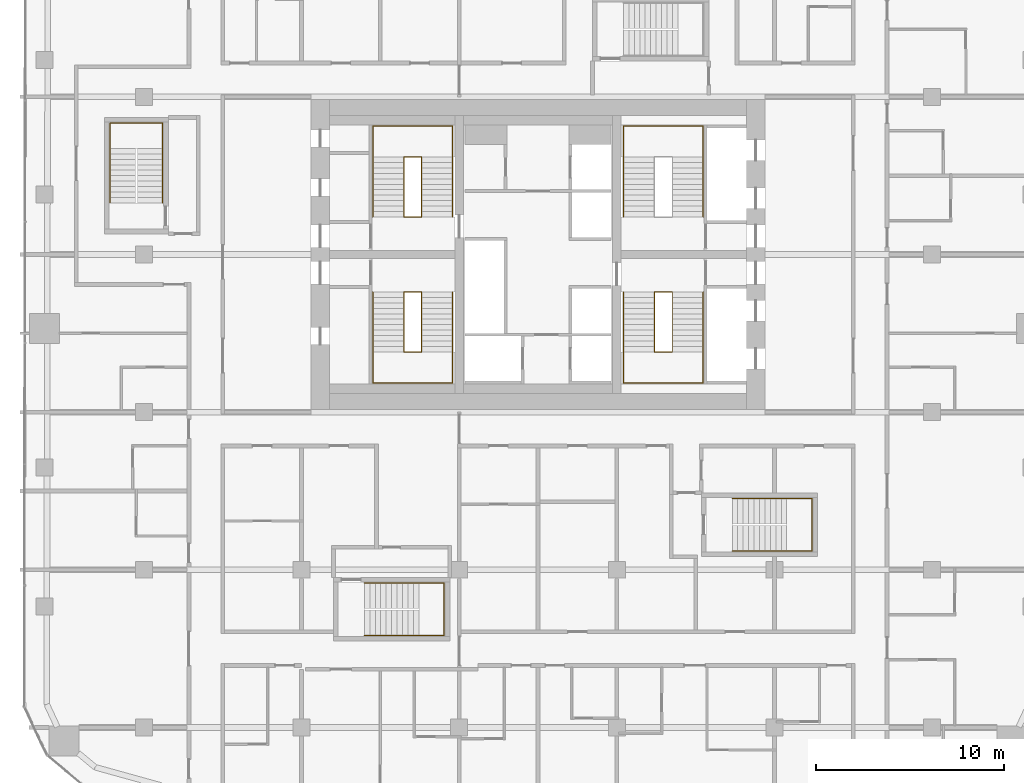
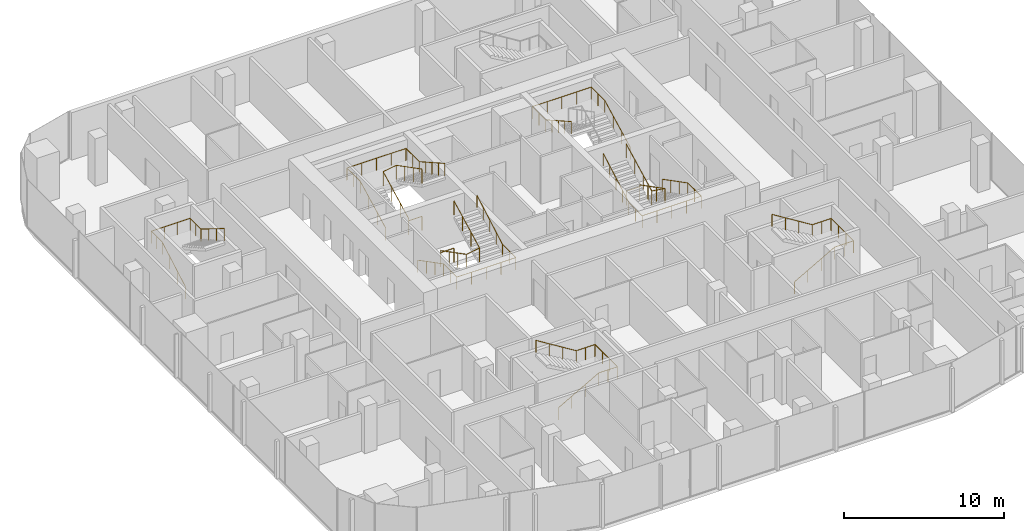
# One storey, part 22 of 23: 10 railings.
"""IFC4 building model written with IfcOpenShell, lengths in metres."""

from ifc_helpers import new_model, si_unit, direction, frame, origin, origin_2d, place, context, subcontext, project, spatial, circle, extrude, material, type_object, element, save


model = new_model("IFC4")

# Units and contexts
model_context = context("Model", 3, precision=1e-05, world=origin(), true_north=direction((0.0, 1.0)))
body_context = subcontext(model_context, "Body", "Model", "MODEL_VIEW")
ifc_project = project(units=[si_unit("LENGTHUNIT", "METRE"), si_unit("AREAUNIT", "SQUARE_METRE"), si_unit("VOLUMEUNIT", "CUBIC_METRE"), si_unit("PLANEANGLEUNIT", "RADIAN"), si_unit("MASSUNIT", "GRAM", prefix="KILO")], contexts=[model_context])

# Site, building, storey
site_placement = place(None, origin())
site = spatial("IfcSite", under=ifc_project, at=site_placement, CompositionType="ELEMENT")
building_placement = place(site_placement, origin())
building = spatial("IfcBuilding", under=site, at=building_placement, Name="Marenta Gate Hotel Tower", CompositionType="ELEMENT")
storey_placement = place(building_placement, frame((0.0, 0.0, 162.5)))
storey = spatial("IfcBuildingStorey", under=building, at=storey_placement, Name="L38", CompositionType="ELEMENT", Elevation=162.5)

# Railings
ifc_material_1 = material(Name="Stainless steel", Category="steel")
railing_type_1 = type_object("IfcRailingType", Name="Core stair handrail 950", PredefinedType="HANDRAIL", material=ifc_material_1)
railing_1_placement = place(storey_placement, frame((-8.800048828125, 6.39990234375, 0.14990234375)))
element("IfcRailing", 1, at=railing_1_placement, inside=storey, type_object=railing_type_1, Name="HR-950 L38-KR-ST1-1", PredefinedType="HANDRAIL", context=body_context, shape_type="SweptSolid", body=[
    extrude(circle(Radius=0.02392578125, at=origin_2d()), frame((0.0, 0.0, 0.92578125), z_axis=(0.0, -0.888197555067, 0.459461753765), x_axis=(1.0, 0.0, 0.0)), (0.0, 0.0, 1.0), 3.591552734375),
    extrude(circle(Radius=0.02392578125, at=origin_2d()), frame((0.0, -3.18994140625, 2.576171875), z_axis=(0.0, -1.0, 0.0), x_axis=(1.0, 0.0, 0.0)), (0.0, 0.0, 1.0), 1.659912109375),
    extrude(circle(Radius=0.02392578125, at=origin_2d()), frame((0.0, -4.849853515625, 2.576171875), z_axis=(1.0, 0.0, 0.0), x_axis=(0.0, 1.0, 0.0)), (0.0, 0.0, 1.0), 4.25),
    extrude(circle(Radius=0.02392578125, at=origin_2d()), frame((4.25, -4.849853515625, 2.576171875), z_axis=(0.0, 1.0, 0.0), x_axis=(-1.0, 0.0, 0.0)), (0.0, 0.0, 1.0), 1.659912109375),
    extrude(circle(Radius=0.02392578125, at=origin_2d()), frame((4.25, -3.18994140625, 2.576171875), z_axis=(0.0, 0.87090897868, 0.491444351738), x_axis=(-1.0, 0.0, 0.0)), (0.0, 0.0, 1.0), 3.662841796875),
    extrude(circle(Radius=0.02099609375, at=origin_2d()), origin(), (0.0, 0.0, 1.0), 0.90185546875),
    extrude(circle(Radius=0.02099609375, at=origin_2d()), frame((0.0, -1.063232421875, 0.550048828125)), (0.0, 0.0, 1.0), 0.90185546875),
    extrude(circle(Radius=0.02099609375, at=origin_2d()), frame((0.0, -2.126708984375, 1.10009765625)), (0.0, 0.0, 1.0), 0.90185546875),
    extrude(circle(Radius=0.02099609375, at=origin_2d()), frame((0.0, -3.18994140625, 1.650146484375)), (0.0, 0.0, 1.0), 0.90185546875),
    extrude(circle(Radius=0.02099609375, at=origin_2d()), frame((0.0, -4.02001953125, 1.650146484375)), (0.0, 0.0, 1.0), 0.90185546875),
    extrude(circle(Radius=0.02099609375, at=origin_2d()), frame((0.0, -4.849853515625, 1.650146484375)), (0.0, 0.0, 1.0), 0.90185546875),
    extrude(circle(Radius=0.02099609375, at=origin_2d()), frame((1.0625, -4.849853515625, 1.650146484375)), (0.0, 0.0, 1.0), 0.90185546875),
    extrude(circle(Radius=0.02099609375, at=origin_2d()), frame((2.125, -4.849853515625, 1.650146484375)), (0.0, 0.0, 1.0), 0.90185546875),
    extrude(circle(Radius=0.02099609375, at=origin_2d()), frame((3.1875, -4.849853515625, 1.650146484375)), (0.0, 0.0, 1.0), 0.90185546875),
    extrude(circle(Radius=0.02099609375, at=origin_2d()), frame((4.25, -4.849853515625, 1.650146484375)), (0.0, 0.0, 1.0), 0.90185546875),
    extrude(circle(Radius=0.02099609375, at=origin_2d()), frame((4.25, -4.02001953125, 1.650146484375)), (0.0, 0.0, 1.0), 0.90185546875),
    extrude(circle(Radius=0.02099609375, at=origin_2d()), frame((4.25, -3.18994140625, 1.650146484375)), (0.0, 0.0, 1.0), 0.90185546875),
    extrude(circle(Radius=0.02099609375, at=origin_2d()), frame((4.25, -2.392578125, 2.10009765625)), (0.0, 0.0, 1.0), 0.90185546875),
    extrude(circle(Radius=0.02099609375, at=origin_2d()), frame((4.25, -1.594970703125, 2.55029296875)), (0.0, 0.0, 1.0), 0.90185546875),
    extrude(circle(Radius=0.02099609375, at=origin_2d()), frame((4.25, -0.79736328125, 3.000244140625)), (0.0, 0.0, 1.0), 0.90185546875),
    extrude(circle(Radius=0.02099609375, at=origin_2d()), frame((4.25, 0.0, 3.4501953125)), (0.0, 0.0, 1.0), 0.90185546875),
])
railing_2_placement = place(storey_placement, frame((-8.800048828125, 10.39990234375, 0.14990234375)))
element("IfcRailing", 2, at=railing_2_placement, inside=storey, type_object=railing_type_1, Name="HR-950 L38-KR-ST2-1", PredefinedType="HANDRAIL", context=body_context, shape_type="SweptSolid", body=[
    extrude(circle(Radius=0.02392578125, at=origin_2d()), frame((0.0, 0.0, 0.92578125), z_axis=(0.0, 0.888211904222, 0.459434013977), x_axis=(-1.0, 0.0, 0.0)), (0.0, 0.0, 1.0), 3.591796875),
    extrude(circle(Radius=0.02392578125, at=origin_2d()), frame((0.0, 3.190185546875, 2.576171875), z_axis=(0.0, 1.0, 0.0), x_axis=(-1.0, 0.0, 0.0)), (0.0, 0.0, 1.0), 1.659912109375),
    extrude(circle(Radius=0.02392578125, at=origin_2d()), frame((0.0, 4.85009765625, 2.576171875), z_axis=(1.0, 0.0, 0.0), x_axis=(0.0, 1.0, 0.0)), (0.0, 0.0, 1.0), 4.25),
    extrude(circle(Radius=0.02392578125, at=origin_2d()), frame((4.25, 4.85009765625, 2.576171875), z_axis=(0.0, -1.0, 0.0), x_axis=(1.0, 0.0, 0.0)), (0.0, 0.0, 1.0), 1.659912109375),
    extrude(circle(Radius=0.02392578125, at=origin_2d()), frame((4.25, 3.190185546875, 2.576171875), z_axis=(0.0, -0.870925075533, 0.491415824742), x_axis=(1.0, 0.0, 0.0)), (0.0, 0.0, 1.0), 3.6630859375),
    extrude(circle(Radius=0.02099609375, at=origin_2d()), origin(), (0.0, 0.0, 1.0), 0.90185546875),
    extrude(circle(Radius=0.02099609375, at=origin_2d()), frame((0.0, 1.0634765625, 0.550048828125)), (0.0, 0.0, 1.0), 0.90185546875),
    extrude(circle(Radius=0.02099609375, at=origin_2d()), frame((0.0, 2.126708984375, 1.10009765625)), (0.0, 0.0, 1.0), 0.90185546875),
    extrude(circle(Radius=0.02099609375, at=origin_2d()), frame((0.0, 3.190185546875, 1.650146484375)), (0.0, 0.0, 1.0), 0.90185546875),
    extrude(circle(Radius=0.02099609375, at=origin_2d()), frame((0.0, 4.02001953125, 1.650146484375)), (0.0, 0.0, 1.0), 0.90185546875),
    extrude(circle(Radius=0.02099609375, at=origin_2d()), frame((0.0, 4.85009765625, 1.650146484375)), (0.0, 0.0, 1.0), 0.90185546875),
    extrude(circle(Radius=0.02099609375, at=origin_2d()), frame((1.0625, 4.85009765625, 1.650146484375)), (0.0, 0.0, 1.0), 0.90185546875),
    extrude(circle(Radius=0.02099609375, at=origin_2d()), frame((2.125, 4.85009765625, 1.650146484375)), (0.0, 0.0, 1.0), 0.90185546875),
    extrude(circle(Radius=0.02099609375, at=origin_2d()), frame((3.1875, 4.85009765625, 1.650146484375)), (0.0, 0.0, 1.0), 0.90185546875),
    extrude(circle(Radius=0.02099609375, at=origin_2d()), frame((4.25, 4.85009765625, 1.650146484375)), (0.0, 0.0, 1.0), 0.90185546875),
    extrude(circle(Radius=0.02099609375, at=origin_2d()), frame((4.25, 4.02001953125, 1.650146484375)), (0.0, 0.0, 1.0), 0.90185546875),
    extrude(circle(Radius=0.02099609375, at=origin_2d()), frame((4.25, 3.190185546875, 1.650146484375)), (0.0, 0.0, 1.0), 0.90185546875),
    extrude(circle(Radius=0.02099609375, at=origin_2d()), frame((4.25, 2.392578125, 2.10009765625)), (0.0, 0.0, 1.0), 0.90185546875),
    extrude(circle(Radius=0.02099609375, at=origin_2d()), frame((4.25, 1.59521484375, 2.55029296875)), (0.0, 0.0, 1.0), 0.90185546875),
    extrude(circle(Radius=0.02099609375, at=origin_2d()), frame((4.25, 0.797607421875, 3.000244140625)), (0.0, 0.0, 1.0), 0.90185546875),
    extrude(circle(Radius=0.02099609375, at=origin_2d()), frame((4.25, 0.0, 3.4501953125)), (0.0, 0.0, 1.0), 0.90185546875),
])
railing_3_placement = place(storey_placement, frame((8.800048828125, 6.39990234375, 0.14990234375)))
element("IfcRailing", 3, at=railing_3_placement, inside=storey, type_object=railing_type_1, Name="HR-950 L38-KR-ST3-1", PredefinedType="HANDRAIL", context=body_context, shape_type="SweptSolid", body=[
    extrude(circle(Radius=0.02392578125, at=origin_2d()), frame((0.0, 0.0, 0.92578125), z_axis=(0.0, -0.888197555067, 0.459461753765), x_axis=(1.0, 0.0, 0.0)), (0.0, 0.0, 1.0), 3.591552734375),
    extrude(circle(Radius=0.02392578125, at=origin_2d()), frame((0.0, -3.18994140625, 2.576171875), z_axis=(0.0, -1.0, 0.0), x_axis=(1.0, 0.0, 0.0)), (0.0, 0.0, 1.0), 1.659912109375),
    extrude(circle(Radius=0.02392578125, at=origin_2d()), frame((0.0, -4.849853515625, 2.576171875), z_axis=(-1.0, 0.0, 0.0), x_axis=(0.0, -1.0, 0.0)), (0.0, 0.0, 1.0), 4.25),
    extrude(circle(Radius=0.02392578125, at=origin_2d()), frame((-4.25, -4.849853515625, 2.576171875), z_axis=(0.0, 1.0, 0.0), x_axis=(-1.0, 0.0, 0.0)), (0.0, 0.0, 1.0), 1.659912109375),
    extrude(circle(Radius=0.02392578125, at=origin_2d()), frame((-4.25, -3.18994140625, 2.576171875), z_axis=(0.0, 0.87090897868, 0.491444351738), x_axis=(-1.0, 0.0, 0.0)), (0.0, 0.0, 1.0), 3.662841796875),
    extrude(circle(Radius=0.02099609375, at=origin_2d()), origin(), (0.0, 0.0, 1.0), 0.90185546875),
    extrude(circle(Radius=0.02099609375, at=origin_2d()), frame((0.0, -1.063232421875, 0.550048828125)), (0.0, 0.0, 1.0), 0.90185546875),
    extrude(circle(Radius=0.02099609375, at=origin_2d()), frame((0.0, -2.126708984375, 1.10009765625)), (0.0, 0.0, 1.0), 0.90185546875),
    extrude(circle(Radius=0.02099609375, at=origin_2d()), frame((0.0, -3.18994140625, 1.650146484375)), (0.0, 0.0, 1.0), 0.90185546875),
    extrude(circle(Radius=0.02099609375, at=origin_2d()), frame((0.0, -4.02001953125, 1.650146484375)), (0.0, 0.0, 1.0), 0.90185546875),
    extrude(circle(Radius=0.02099609375, at=origin_2d()), frame((0.0, -4.849853515625, 1.650146484375)), (0.0, 0.0, 1.0), 0.90185546875),
    extrude(circle(Radius=0.02099609375, at=origin_2d()), frame((-1.0625, -4.849853515625, 1.650146484375)), (0.0, 0.0, 1.0), 0.90185546875),
    extrude(circle(Radius=0.02099609375, at=origin_2d()), frame((-2.125, -4.849853515625, 1.650146484375)), (0.0, 0.0, 1.0), 0.90185546875),
    extrude(circle(Radius=0.02099609375, at=origin_2d()), frame((-3.1875, -4.849853515625, 1.650146484375)), (0.0, 0.0, 1.0), 0.90185546875),
    extrude(circle(Radius=0.02099609375, at=origin_2d()), frame((-4.25, -4.849853515625, 1.650146484375)), (0.0, 0.0, 1.0), 0.90185546875),
    extrude(circle(Radius=0.02099609375, at=origin_2d()), frame((-4.25, -4.02001953125, 1.650146484375)), (0.0, 0.0, 1.0), 0.90185546875),
    extrude(circle(Radius=0.02099609375, at=origin_2d()), frame((-4.25, -3.18994140625, 1.650146484375)), (0.0, 0.0, 1.0), 0.90185546875),
    extrude(circle(Radius=0.02099609375, at=origin_2d()), frame((-4.25, -2.392578125, 2.10009765625)), (0.0, 0.0, 1.0), 0.90185546875),
    extrude(circle(Radius=0.02099609375, at=origin_2d()), frame((-4.25, -1.594970703125, 2.55029296875)), (0.0, 0.0, 1.0), 0.90185546875),
    extrude(circle(Radius=0.02099609375, at=origin_2d()), frame((-4.25, -0.79736328125, 3.000244140625)), (0.0, 0.0, 1.0), 0.90185546875),
    extrude(circle(Radius=0.02099609375, at=origin_2d()), frame((-4.25, 0.0, 3.4501953125)), (0.0, 0.0, 1.0), 0.90185546875),
])
railing_4_placement = place(storey_placement, frame((8.800048828125, 10.39990234375, 0.14990234375)))
element("IfcRailing", 4, at=railing_4_placement, inside=storey, type_object=railing_type_1, Name="HR-950 L38-KR-ST4-1", PredefinedType="HANDRAIL", context=body_context, shape_type="SweptSolid", body=[
    extrude(circle(Radius=0.02392578125, at=origin_2d()), frame((0.0, 0.0, 0.92578125), z_axis=(0.0, 0.888211904222, 0.459434013977), x_axis=(-1.0, 0.0, 0.0)), (0.0, 0.0, 1.0), 3.591796875),
    extrude(circle(Radius=0.02392578125, at=origin_2d()), frame((0.0, 3.190185546875, 2.576171875), z_axis=(0.0, 1.0, 0.0), x_axis=(-1.0, 0.0, 0.0)), (0.0, 0.0, 1.0), 1.659912109375),
    extrude(circle(Radius=0.02392578125, at=origin_2d()), frame((0.0, 4.85009765625, 2.576171875), z_axis=(-1.0, 0.0, 0.0), x_axis=(0.0, -1.0, 0.0)), (0.0, 0.0, 1.0), 4.25),
    extrude(circle(Radius=0.02392578125, at=origin_2d()), frame((-4.25, 4.85009765625, 2.576171875), z_axis=(0.0, -1.0, 0.0), x_axis=(1.0, 0.0, 0.0)), (0.0, 0.0, 1.0), 1.659912109375),
    extrude(circle(Radius=0.02392578125, at=origin_2d()), frame((-4.25, 3.190185546875, 2.576171875), z_axis=(0.0, -0.870925075533, 0.491415824742), x_axis=(1.0, 0.0, 0.0)), (0.0, 0.0, 1.0), 3.6630859375),
    extrude(circle(Radius=0.02099609375, at=origin_2d()), origin(), (0.0, 0.0, 1.0), 0.90185546875),
    extrude(circle(Radius=0.02099609375, at=origin_2d()), frame((0.0, 1.0634765625, 0.550048828125)), (0.0, 0.0, 1.0), 0.90185546875),
    extrude(circle(Radius=0.02099609375, at=origin_2d()), frame((0.0, 2.126708984375, 1.10009765625)), (0.0, 0.0, 1.0), 0.90185546875),
    extrude(circle(Radius=0.02099609375, at=origin_2d()), frame((0.0, 3.190185546875, 1.650146484375)), (0.0, 0.0, 1.0), 0.90185546875),
    extrude(circle(Radius=0.02099609375, at=origin_2d()), frame((0.0, 4.02001953125, 1.650146484375)), (0.0, 0.0, 1.0), 0.90185546875),
    extrude(circle(Radius=0.02099609375, at=origin_2d()), frame((0.0, 4.85009765625, 1.650146484375)), (0.0, 0.0, 1.0), 0.90185546875),
    extrude(circle(Radius=0.02099609375, at=origin_2d()), frame((-1.0625, 4.85009765625, 1.650146484375)), (0.0, 0.0, 1.0), 0.90185546875),
    extrude(circle(Radius=0.02099609375, at=origin_2d()), frame((-2.125, 4.85009765625, 1.650146484375)), (0.0, 0.0, 1.0), 0.90185546875),
    extrude(circle(Radius=0.02099609375, at=origin_2d()), frame((-3.1875, 4.85009765625, 1.650146484375)), (0.0, 0.0, 1.0), 0.90185546875),
    extrude(circle(Radius=0.02099609375, at=origin_2d()), frame((-4.25, 4.85009765625, 1.650146484375)), (0.0, 0.0, 1.0), 0.90185546875),
    extrude(circle(Radius=0.02099609375, at=origin_2d()), frame((-4.25, 4.02001953125, 1.650146484375)), (0.0, 0.0, 1.0), 0.90185546875),
    extrude(circle(Radius=0.02099609375, at=origin_2d()), frame((-4.25, 3.190185546875, 1.650146484375)), (0.0, 0.0, 1.0), 0.90185546875),
    extrude(circle(Radius=0.02099609375, at=origin_2d()), frame((-4.25, 2.392578125, 2.10009765625)), (0.0, 0.0, 1.0), 0.90185546875),
    extrude(circle(Radius=0.02099609375, at=origin_2d()), frame((-4.25, 1.59521484375, 2.55029296875)), (0.0, 0.0, 1.0), 0.90185546875),
    extrude(circle(Radius=0.02099609375, at=origin_2d()), frame((-4.25, 0.797607421875, 3.000244140625)), (0.0, 0.0, 1.0), 0.90185546875),
    extrude(circle(Radius=0.02099609375, at=origin_2d()), frame((-4.25, 0.0, 3.4501953125)), (0.0, 0.0, 1.0), 0.90185546875),
])
railing_5_placement = place(storey_placement, frame((-22.800048828125, 11.14990234375, 0.16357421875)))
element("IfcRailing", 5, at=railing_5_placement, inside=storey, type_object=railing_type_1, Name="HR-950 L38-RS-Z1-3-KR-1", PredefinedType="HANDRAIL", context=body_context, shape_type="SweptSolid", body=[
    extrude(circle(Radius=0.02392578125, at=origin_2d()), frame((0.0, 0.0, 0.92578125), z_axis=(0.0, 0.870914908162, 0.491433843708), x_axis=(-1.0, 0.0, 0.0)), (0.0, 0.0, 1.0), 3.330078125),
    extrude(circle(Radius=0.02392578125, at=origin_2d()), frame((0.0, 2.900146484375, 2.5625), z_axis=(0.0, 1.0, 0.0), x_axis=(-1.0, 0.0, 0.0)), (0.0, 0.0, 1.0), 1.349853515625),
    extrude(circle(Radius=0.02392578125, at=origin_2d()), frame((0.0, 4.25, 2.5625), z_axis=(1.0, 0.0, 0.0), x_axis=(0.0, 1.0, 0.0)), (0.0, 0.0, 1.0), 2.800048828125),
    extrude(circle(Radius=0.02392578125, at=origin_2d()), frame((2.800048828125, 4.25, 2.5625), z_axis=(0.0, -1.0, 0.0), x_axis=(1.0, 0.0, 0.0)), (0.0, 0.0, 1.0), 1.349853515625),
    extrude(circle(Radius=0.02392578125, at=origin_2d()), frame((2.800048828125, 2.900146484375, 2.5625), z_axis=(0.0, -0.849645691689, 0.527353959494), x_axis=(1.0, 0.0, 0.0)), (0.0, 0.0, 1.0), 3.413330078125),
    extrude(circle(Radius=0.02099609375, at=origin_2d()), origin(), (0.0, 0.0, 1.0), 0.90185546875),
    extrude(circle(Radius=0.02099609375, at=origin_2d()), frame((0.0, 0.966796875, 0.54541015625)), (0.0, 0.0, 1.0), 0.90185546875),
    extrude(circle(Radius=0.02099609375, at=origin_2d()), frame((0.0, 1.933349609375, 1.091064453125)), (0.0, 0.0, 1.0), 0.90185546875),
    extrude(circle(Radius=0.02099609375, at=origin_2d()), frame((0.0, 2.900146484375, 1.636474609375)), (0.0, 0.0, 1.0), 0.90185546875),
    extrude(circle(Radius=0.02099609375, at=origin_2d()), frame((0.0, 3.5751953125, 1.636474609375)), (0.0, 0.0, 1.0), 0.90185546875),
    extrude(circle(Radius=0.02099609375, at=origin_2d()), frame((0.0, 4.25, 1.636474609375)), (0.0, 0.0, 1.0), 0.90185546875),
    extrude(circle(Radius=0.02099609375, at=origin_2d()), frame((0.933349609375, 4.25, 1.636474609375)), (0.0, 0.0, 1.0), 0.90185546875),
    extrude(circle(Radius=0.02099609375, at=origin_2d()), frame((1.86669921875, 4.25, 1.636474609375)), (0.0, 0.0, 1.0), 0.90185546875),
    extrude(circle(Radius=0.02099609375, at=origin_2d()), frame((2.800048828125, 4.25, 1.636474609375)), (0.0, 0.0, 1.0), 0.90185546875),
    extrude(circle(Radius=0.02099609375, at=origin_2d()), frame((2.800048828125, 3.5751953125, 1.636474609375)), (0.0, 0.0, 1.0), 0.90185546875),
    extrude(circle(Radius=0.02099609375, at=origin_2d()), frame((2.800048828125, 2.900146484375, 1.636474609375)), (0.0, 0.0, 1.0), 0.90185546875),
    extrude(circle(Radius=0.02099609375, at=origin_2d()), frame((2.800048828125, 1.933349609375, 2.236572265625)), (0.0, 0.0, 1.0), 0.90185546875),
    extrude(circle(Radius=0.02099609375, at=origin_2d()), frame((2.800048828125, 0.966796875, 2.83642578125)), (0.0, 0.0, 1.0), 0.90185546875),
    extrude(circle(Radius=0.02099609375, at=origin_2d()), frame((2.800048828125, 0.0, 3.4365234375)), (0.0, 0.0, 1.0), 0.90185546875),
])
railing_6_placement = place(storey_placement, frame((-9.25, -11.89990234375, 0.16357421875)))
element("IfcRailing", 6, at=railing_6_placement, inside=storey, type_object=railing_type_1, Name="HR-950 L38-RS-Z2-1-KR-1", PredefinedType="HANDRAIL", context=body_context, shape_type="SweptSolid", body=[
    extrude(circle(Radius=0.02392578125, at=origin_2d()), frame((0.0, 0.0, 0.92578125), z_axis=(0.870897200241, 0.0, 0.491465224214), x_axis=(0.0, 1.0, 0.0)), (0.0, 0.0, 1.0), 3.329833984375),
    extrude(circle(Radius=0.02392578125, at=origin_2d()), frame((2.89990234375, 0.0, 2.5625), z_axis=(1.0, 0.0, 0.0), x_axis=(0.0, 1.0, 0.0)), (0.0, 0.0, 1.0), 1.35009765625),
    extrude(circle(Radius=0.02392578125, at=origin_2d()), frame((4.25, 0.0, 2.5625), z_axis=(0.0, 1.0, 0.0), x_axis=(-1.0, 0.0, 0.0)), (0.0, 0.0, 1.0), 2.7998046875),
    extrude(circle(Radius=0.02392578125, at=origin_2d()), frame((4.25, 2.7998046875, 2.5625), z_axis=(-1.0, 0.0, 0.0), x_axis=(0.0, -1.0, 0.0)), (0.0, 0.0, 1.0), 1.35009765625),
    extrude(circle(Radius=0.02392578125, at=origin_2d()), frame((2.89990234375, 2.7998046875, 2.5625), z_axis=(-0.849625798611, 0.0, 0.527386008853), x_axis=(0.0, -1.0, 0.0)), (0.0, 0.0, 1.0), 3.4130859375),
    extrude(circle(Radius=0.02099609375, at=origin_2d()), origin(), (0.0, 0.0, 1.0), 0.90185546875),
    extrude(circle(Radius=0.02099609375, at=origin_2d()), frame((0.966552734375, 0.0, 0.54541015625)), (0.0, 0.0, 1.0), 0.90185546875),
    extrude(circle(Radius=0.02099609375, at=origin_2d()), frame((1.933349609375, 0.0, 1.091064453125)), (0.0, 0.0, 1.0), 0.90185546875),
    extrude(circle(Radius=0.02099609375, at=origin_2d()), frame((2.89990234375, 0.0, 1.636474609375)), (0.0, 0.0, 1.0), 0.90185546875),
    extrude(circle(Radius=0.02099609375, at=origin_2d()), frame((3.574951171875, 0.0, 1.636474609375)), (0.0, 0.0, 1.0), 0.90185546875),
    extrude(circle(Radius=0.02099609375, at=origin_2d()), frame((4.25, 0.0, 1.636474609375)), (0.0, 0.0, 1.0), 0.90185546875),
    extrude(circle(Radius=0.02099609375, at=origin_2d()), frame((4.25, 0.933349609375, 1.636474609375)), (0.0, 0.0, 1.0), 0.90185546875),
    extrude(circle(Radius=0.02099609375, at=origin_2d()), frame((4.25, 1.866455078125, 1.636474609375)), (0.0, 0.0, 1.0), 0.90185546875),
    extrude(circle(Radius=0.02099609375, at=origin_2d()), frame((4.25, 2.7998046875, 1.636474609375)), (0.0, 0.0, 1.0), 0.90185546875),
    extrude(circle(Radius=0.02099609375, at=origin_2d()), frame((3.574951171875, 2.7998046875, 1.636474609375)), (0.0, 0.0, 1.0), 0.90185546875),
    extrude(circle(Radius=0.02099609375, at=origin_2d()), frame((2.89990234375, 2.7998046875, 1.636474609375)), (0.0, 0.0, 1.0), 0.90185546875),
    extrude(circle(Radius=0.02099609375, at=origin_2d()), frame((1.933349609375, 2.7998046875, 2.236572265625)), (0.0, 0.0, 1.0), 0.90185546875),
    extrude(circle(Radius=0.02099609375, at=origin_2d()), frame((0.966552734375, 2.7998046875, 2.83642578125)), (0.0, 0.0, 1.0), 0.90185546875),
    extrude(circle(Radius=0.02099609375, at=origin_2d()), frame((0.0, 2.7998046875, 3.4365234375)), (0.0, 0.0, 1.0), 0.90185546875),
])
railing_7_placement = place(storey_placement, frame((10.35009765625, -7.39990234375, 0.16357421875)))
element("IfcRailing", 7, at=railing_7_placement, inside=storey, type_object=railing_type_1, Name="HR-950 L38-RS-Z2-2-KR-1", PredefinedType="HANDRAIL", context=body_context, shape_type="SweptSolid", body=[
    extrude(circle(Radius=0.02392578125, at=origin_2d()), frame((0.0, 0.0, 0.92578125), z_axis=(0.870897200241, 0.0, 0.491465224214), x_axis=(0.0, 1.0, 0.0)), (0.0, 0.0, 1.0), 3.329833984375),
    extrude(circle(Radius=0.02392578125, at=origin_2d()), frame((2.89990234375, 0.0, 2.5625), z_axis=(1.0, 0.0, 0.0), x_axis=(0.0, 1.0, 0.0)), (0.0, 0.0, 1.0), 1.35009765625),
    extrude(circle(Radius=0.02392578125, at=origin_2d()), frame((4.25, 0.0, 2.5625), z_axis=(0.0, 1.0, 0.0), x_axis=(-1.0, 0.0, 0.0)), (0.0, 0.0, 1.0), 2.7998046875),
    extrude(circle(Radius=0.02392578125, at=origin_2d()), frame((4.25, 2.7998046875, 2.5625), z_axis=(-1.0, 0.0, 0.0), x_axis=(0.0, -1.0, 0.0)), (0.0, 0.0, 1.0), 1.35009765625),
    extrude(circle(Radius=0.02392578125, at=origin_2d()), frame((2.89990234375, 2.7998046875, 2.5625), z_axis=(-0.849625798611, 0.0, 0.527386008853), x_axis=(0.0, -1.0, 0.0)), (0.0, 0.0, 1.0), 3.4130859375),
    extrude(circle(Radius=0.02099609375, at=origin_2d()), origin(), (0.0, 0.0, 1.0), 0.90185546875),
    extrude(circle(Radius=0.02099609375, at=origin_2d()), frame((0.966552734375, 0.0, 0.54541015625)), (0.0, 0.0, 1.0), 0.90185546875),
    extrude(circle(Radius=0.02099609375, at=origin_2d()), frame((1.933349609375, 0.0, 1.091064453125)), (0.0, 0.0, 1.0), 0.90185546875),
    extrude(circle(Radius=0.02099609375, at=origin_2d()), frame((2.89990234375, 0.0, 1.636474609375)), (0.0, 0.0, 1.0), 0.90185546875),
    extrude(circle(Radius=0.02099609375, at=origin_2d()), frame((3.574951171875, 0.0, 1.636474609375)), (0.0, 0.0, 1.0), 0.90185546875),
    extrude(circle(Radius=0.02099609375, at=origin_2d()), frame((4.25, 0.0, 1.636474609375)), (0.0, 0.0, 1.0), 0.90185546875),
    extrude(circle(Radius=0.02099609375, at=origin_2d()), frame((4.25, 0.933349609375, 1.636474609375)), (0.0, 0.0, 1.0), 0.90185546875),
    extrude(circle(Radius=0.02099609375, at=origin_2d()), frame((4.25, 1.866455078125, 1.636474609375)), (0.0, 0.0, 1.0), 0.90185546875),
    extrude(circle(Radius=0.02099609375, at=origin_2d()), frame((4.25, 2.7998046875, 1.636474609375)), (0.0, 0.0, 1.0), 0.90185546875),
    extrude(circle(Radius=0.02099609375, at=origin_2d()), frame((3.574951171875, 2.7998046875, 1.636474609375)), (0.0, 0.0, 1.0), 0.90185546875),
    extrude(circle(Radius=0.02099609375, at=origin_2d()), frame((2.89990234375, 2.7998046875, 1.636474609375)), (0.0, 0.0, 1.0), 0.90185546875),
    extrude(circle(Radius=0.02099609375, at=origin_2d()), frame((1.933349609375, 2.7998046875, 2.236572265625)), (0.0, 0.0, 1.0), 0.90185546875),
    extrude(circle(Radius=0.02099609375, at=origin_2d()), frame((0.966552734375, 2.7998046875, 2.83642578125)), (0.0, 0.0, 1.0), 0.90185546875),
    extrude(circle(Radius=0.02099609375, at=origin_2d()), frame((0.0, 2.7998046875, 3.4365234375)), (0.0, 0.0, 1.0), 0.90185546875),
])
ifc_material_2 = material(Name="Stainless steel", Category="steel")
railing_type_2 = type_object("IfcRailingType", Name="Core stair well guard 1100", PredefinedType="GUARDRAIL", material=ifc_material_2)
railing_8_placement = place(storey_placement, frame((-6.199951171875, 6.39990234375, 0.0)))
element("IfcRailing", 8, at=railing_8_placement, inside=storey, type_object=railing_type_2, Name="GR-1100 L38-KR-ST1-2", PredefinedType="GUARDRAIL", context=body_context, shape_type="SweptSolid", body=[
    extrude(circle(Radius=0.02392578125, at=origin_2d()), frame((0.0, 0.0, 1.076171875), z_axis=(-1.0, 0.0, 0.0), x_axis=(0.0, -1.0, 0.0)), (0.0, 0.0, 1.0), 0.949951171875),
    extrude(circle(Radius=0.02392578125, at=origin_2d()), frame((-0.949951171875, 0.0, 1.076171875), z_axis=(0.0, 0.0, 1.0), x_axis=(1.0, 0.0, 0.0)), (0.0, 0.0, 1.0), 0.14990234375),
    extrude(circle(Radius=0.02392578125, at=origin_2d()), frame((-0.949951171875, 0.0, 1.22607421875), z_axis=(0.0, -0.888197555067, 0.459461753765), x_axis=(1.0, 0.0, 0.0)), (0.0, 0.0, 1.0), 3.591552734375),
    extrude(circle(Radius=0.02392578125, at=origin_2d()), frame((-0.949951171875, -3.18994140625, 2.8759765625), z_axis=(0.987777369502, 0.0, 0.15587131968), x_axis=(0.0, 1.0, 0.0)), (0.0, 0.0, 1.0), 0.961669921875),
    extrude(circle(Radius=0.02392578125, at=origin_2d()), frame((0.0, -3.18994140625, 3.02587890625), z_axis=(0.0, 0.888197555067, 0.459461753765), x_axis=(-1.0, 0.0, 0.0)), (0.0, 0.0, 1.0), 3.591552734375),
    extrude(circle(Radius=0.02099609375, at=origin_2d()), origin(), (0.0, 0.0, 1.0), 1.052001953125),
    extrude(circle(Radius=0.02099609375, at=origin_2d()), frame((-0.949951171875, 0.0, 0.0)), (0.0, 0.0, 1.0), 1.052001953125),
    extrude(circle(Radius=0.02099609375, at=origin_2d()), frame((-0.949951171875, 0.0, 0.14990234375)), (0.0, 0.0, 1.0), 1.052001953125),
    extrude(circle(Radius=0.02099609375, at=origin_2d()), frame((-0.949951171875, -1.063232421875, 0.699951171875)), (0.0, 0.0, 1.0), 1.052001953125),
    extrude(circle(Radius=0.02099609375, at=origin_2d()), frame((-0.949951171875, -2.126708984375, 1.25)), (0.0, 0.0, 1.0), 1.052001953125),
    extrude(circle(Radius=0.02099609375, at=origin_2d()), frame((-0.949951171875, -3.18994140625, 1.800048828125)), (0.0, 0.0, 1.0), 1.052001953125),
    extrude(circle(Radius=0.02099609375, at=origin_2d()), frame((0.0, -3.18994140625, 1.949951171875)), (0.0, 0.0, 1.0), 1.052001953125),
    extrude(circle(Radius=0.02099609375, at=origin_2d()), frame((0.0, -2.126708984375, 2.5)), (0.0, 0.0, 1.0), 1.052001953125),
    extrude(circle(Radius=0.02099609375, at=origin_2d()), frame((0.0, -1.063232421875, 3.050048828125)), (0.0, 0.0, 1.0), 1.052001953125),
    extrude(circle(Radius=0.02099609375, at=origin_2d()), frame((0.0, 0.0, 3.60009765625)), (0.0, 0.0, 1.0), 1.052001953125),
])
railing_9_placement = place(storey_placement, frame((-6.199951171875, 10.39990234375, 0.0)))
element("IfcRailing", 9, at=railing_9_placement, inside=storey, type_object=railing_type_2, Name="GR-1100 L38-KR-ST2-2", PredefinedType="GUARDRAIL", context=body_context, shape_type="SweptSolid", body=[
    extrude(circle(Radius=0.02392578125, at=origin_2d()), frame((0.0, 0.0, 1.076171875), z_axis=(-1.0, 0.0, 0.0), x_axis=(0.0, -1.0, 0.0)), (0.0, 0.0, 1.0), 0.949951171875),
    extrude(circle(Radius=0.02392578125, at=origin_2d()), frame((-0.949951171875, 0.0, 1.076171875), z_axis=(0.0, 0.0, 1.0), x_axis=(1.0, 0.0, 0.0)), (0.0, 0.0, 1.0), 0.14990234375),
    extrude(circle(Radius=0.02392578125, at=origin_2d()), frame((-0.949951171875, 0.0, 1.22607421875), z_axis=(0.0, 0.888211904222, 0.459434013977), x_axis=(-1.0, 0.0, 0.0)), (0.0, 0.0, 1.0), 3.591796875),
    extrude(circle(Radius=0.02392578125, at=origin_2d()), frame((-0.949951171875, 3.190185546875, 2.8759765625), z_axis=(0.987777369502, 0.0, 0.15587131968), x_axis=(0.0, 1.0, 0.0)), (0.0, 0.0, 1.0), 0.961669921875),
    extrude(circle(Radius=0.02392578125, at=origin_2d()), frame((0.0, 3.190185546875, 3.02587890625), z_axis=(0.0, -0.888211904222, 0.459434013977), x_axis=(1.0, 0.0, 0.0)), (0.0, 0.0, 1.0), 3.591796875),
    extrude(circle(Radius=0.02099609375, at=origin_2d()), origin(), (0.0, 0.0, 1.0), 1.052001953125),
    extrude(circle(Radius=0.02099609375, at=origin_2d()), frame((-0.949951171875, 0.0, 0.0)), (0.0, 0.0, 1.0), 1.052001953125),
    extrude(circle(Radius=0.02099609375, at=origin_2d()), frame((-0.949951171875, 0.0, 0.14990234375)), (0.0, 0.0, 1.0), 1.052001953125),
    extrude(circle(Radius=0.02099609375, at=origin_2d()), frame((-0.949951171875, 1.0634765625, 0.699951171875)), (0.0, 0.0, 1.0), 1.052001953125),
    extrude(circle(Radius=0.02099609375, at=origin_2d()), frame((-0.949951171875, 2.126708984375, 1.25)), (0.0, 0.0, 1.0), 1.052001953125),
    extrude(circle(Radius=0.02099609375, at=origin_2d()), frame((-0.949951171875, 3.190185546875, 1.800048828125)), (0.0, 0.0, 1.0), 1.052001953125),
    extrude(circle(Radius=0.02099609375, at=origin_2d()), frame((0.0, 3.190185546875, 1.949951171875)), (0.0, 0.0, 1.0), 1.052001953125),
    extrude(circle(Radius=0.02099609375, at=origin_2d()), frame((0.0, 2.126708984375, 2.5)), (0.0, 0.0, 1.0), 1.052001953125),
    extrude(circle(Radius=0.02099609375, at=origin_2d()), frame((0.0, 1.0634765625, 3.050048828125)), (0.0, 0.0, 1.0), 1.052001953125),
    extrude(circle(Radius=0.02099609375, at=origin_2d()), frame((0.0, 0.0, 3.60009765625)), (0.0, 0.0, 1.0), 1.052001953125),
])
railing_10_placement = place(storey_placement, frame((6.199951171875, 6.39990234375, 0.0)))
element("IfcRailing", 10, at=railing_10_placement, inside=storey, type_object=railing_type_2, Name="GR-1100 L38-KR-ST3-2", PredefinedType="GUARDRAIL", context=body_context, shape_type="SweptSolid", body=[
    extrude(circle(Radius=0.02392578125, at=origin_2d()), frame((0.0, 0.0, 1.076171875), z_axis=(1.0, 0.0, 0.0), x_axis=(0.0, 1.0, 0.0)), (0.0, 0.0, 1.0), 0.949951171875),
    extrude(circle(Radius=0.02392578125, at=origin_2d()), frame((0.949951171875, 0.0, 1.076171875), z_axis=(0.0, 0.0, 1.0), x_axis=(1.0, 0.0, 0.0)), (0.0, 0.0, 1.0), 0.14990234375),
    extrude(circle(Radius=0.02392578125, at=origin_2d()), frame((0.949951171875, 0.0, 1.22607421875), z_axis=(0.0, -0.888197555067, 0.459461753765), x_axis=(1.0, 0.0, 0.0)), (0.0, 0.0, 1.0), 3.591552734375),
    extrude(circle(Radius=0.02392578125, at=origin_2d()), frame((0.949951171875, -3.18994140625, 2.8759765625), z_axis=(-0.987777369502, 0.0, 0.15587131968), x_axis=(0.0, -1.0, 0.0)), (0.0, 0.0, 1.0), 0.961669921875),
    extrude(circle(Radius=0.02392578125, at=origin_2d()), frame((0.0, -3.18994140625, 3.02587890625), z_axis=(0.0, 0.888197555067, 0.459461753765), x_axis=(-1.0, 0.0, 0.0)), (0.0, 0.0, 1.0), 3.591552734375),
    extrude(circle(Radius=0.02099609375, at=origin_2d()), origin(), (0.0, 0.0, 1.0), 1.052001953125),
    extrude(circle(Radius=0.02099609375, at=origin_2d()), frame((0.949951171875, 0.0, 0.0)), (0.0, 0.0, 1.0), 1.052001953125),
    extrude(circle(Radius=0.02099609375, at=origin_2d()), frame((0.949951171875, 0.0, 0.14990234375)), (0.0, 0.0, 1.0), 1.052001953125),
    extrude(circle(Radius=0.02099609375, at=origin_2d()), frame((0.949951171875, -1.063232421875, 0.699951171875)), (0.0, 0.0, 1.0), 1.052001953125),
    extrude(circle(Radius=0.02099609375, at=origin_2d()), frame((0.949951171875, -2.126708984375, 1.25)), (0.0, 0.0, 1.0), 1.052001953125),
    extrude(circle(Radius=0.02099609375, at=origin_2d()), frame((0.949951171875, -3.18994140625, 1.800048828125)), (0.0, 0.0, 1.0), 1.052001953125),
    extrude(circle(Radius=0.02099609375, at=origin_2d()), frame((0.0, -3.18994140625, 1.949951171875)), (0.0, 0.0, 1.0), 1.052001953125),
    extrude(circle(Radius=0.02099609375, at=origin_2d()), frame((0.0, -2.126708984375, 2.5)), (0.0, 0.0, 1.0), 1.052001953125),
    extrude(circle(Radius=0.02099609375, at=origin_2d()), frame((0.0, -1.063232421875, 3.050048828125)), (0.0, 0.0, 1.0), 1.052001953125),
    extrude(circle(Radius=0.02099609375, at=origin_2d()), frame((0.0, 0.0, 3.60009765625)), (0.0, 0.0, 1.0), 1.052001953125),
])

save(model, "model.ifc")
